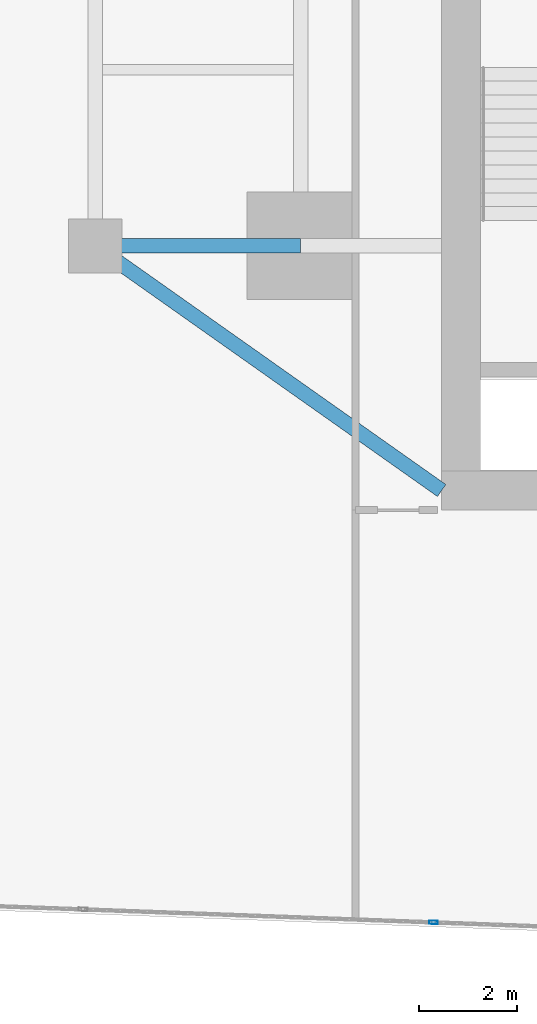
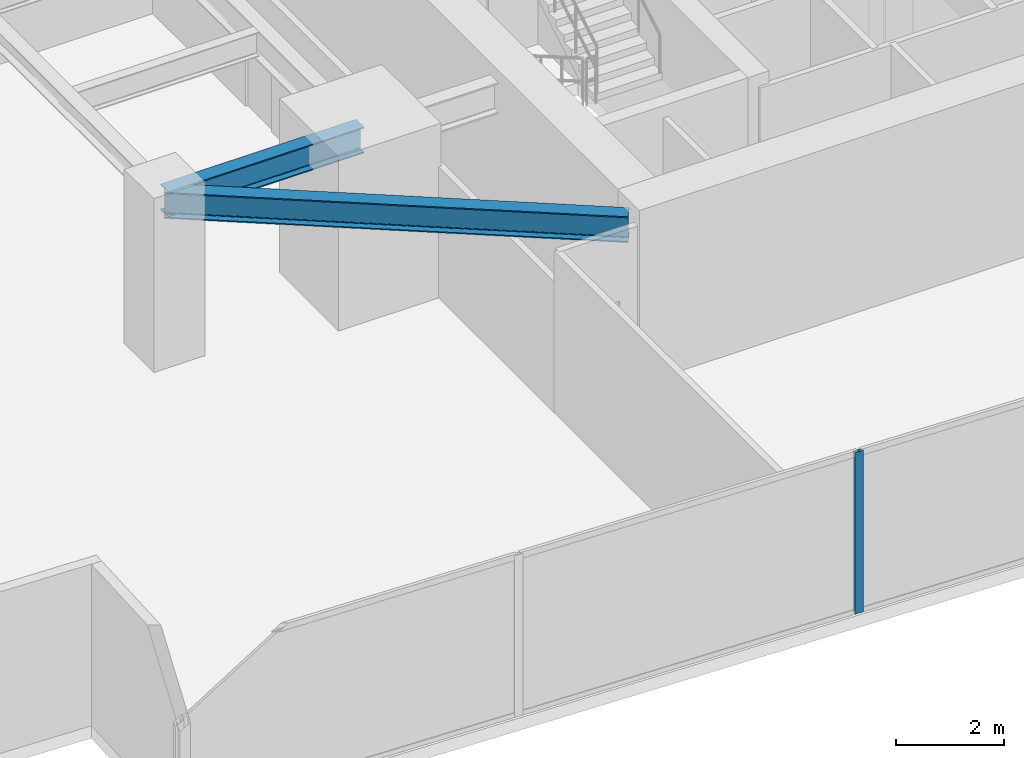
# One storey, part 5 of 30: 2 beams, 1 member, 1 element without a shape of its own.
"""IFC4 building model written with IfcOpenShell, lengths in metres."""

from ifc_helpers import new_model, si_unit, direction, frame, origin, origin_2d, place, context, subcontext, project, spatial, hollow_rectangle, i_section, extrude, source, transform, mapped, material, material_profile, profile_set, type_object, type_shapes, element, aggregate, save


model = new_model("IFC4")

# Units and contexts
model_context = context("Model", 3, precision=1e-05, world=origin(), true_north=direction((0.0, 1.0)))
body_context = subcontext(model_context, "Body", "Model", "MODEL_VIEW")
ifc_project = project(units=[si_unit("LENGTHUNIT", "METRE"), si_unit("AREAUNIT", "SQUARE_METRE"), si_unit("VOLUMEUNIT", "CUBIC_METRE"), si_unit("PLANEANGLEUNIT", "RADIAN"), si_unit("MASSUNIT", "GRAM", prefix="KILO")], contexts=[model_context])

# Site, building, storey
site_placement = place(None, origin())
site = spatial("IfcSite", under=ifc_project, at=site_placement, CompositionType="ELEMENT")
building_placement = place(site_placement, origin())
building = spatial("IfcBuilding", under=site, at=building_placement, Name="Krantzveldt Concourse Tower", CompositionType="ELEMENT")
storey_placement = place(building_placement, frame((0.0, 0.0, 36.85009765625)))
storey = spatial("IfcBuildingStorey", under=building, at=storey_placement, Name="L08", CompositionType="ELEMENT", Elevation=36.85009765625)

# Beams
ifc_material_1 = material(Name="Steel S355JR", Category="steel")
ifc_material_profile_1 = material_profile(ifc_material_1, i_section(OverallWidth=0.300048828125, OverallDepth=0.590087890625, WebThickness=0.012939453125, FlangeThickness=0.02490234375, FilletRadius=0.027099609375, at=origin_2d()), Name="Steel S355JR", Category="steel")
ifc_profile_set_1 = profile_set([ifc_material_profile_1], Name="Steel S355JR - HEA 600")
beam_type = type_object("IfcBeamType", Name="BM-B-HEA600", PredefinedType="BEAM", material=ifc_profile_set_1)
shared_shape_1 = source(origin(), body_context, "Body", "SweptSolid", [
    extrude(i_section(OverallWidth=0.300048828125, OverallDepth=0.590087890625, WebThickness=0.012939453125, FlangeThickness=0.02490234375, FilletRadius=0.027099609375, at=origin_2d()), origin(), (0.0, 0.0, 1.0), 4.199951171875),
])
beam_1_placement = place(storey_placement, frame((21.0, 15.89990234375, 3.375), z_axis=(1.0, 0.0, 0.0), x_axis=(0.0, 1.0, 0.0)))
element("IfcBeam", 1, at=beam_1_placement, inside=storey, type_object=beam_type, Name="L08 Tower Girder BR-RL1", PredefinedType="BEAM", context=body_context, shape_type="MappedRepresentation", body=[
    mapped(shared_shape_1, transform((0.0, 0.0, 0.0), x_axis=(1.0, 0.0, 0.0), y_axis=(0.0, 1.0, 0.0), z_axis=(0.0, 0.0, 1.0), scale=1.0)),
])
shared_shape_2 = source(origin(), body_context, "Body", "SweptSolid", [
    extrude(i_section(OverallWidth=0.300048828125, OverallDepth=0.590087890625, WebThickness=0.012939453125, FlangeThickness=0.02490234375, FilletRadius=0.027099609375, at=origin_2d()), origin(), (0.0, 0.0, 1.0), 8.667724609375),
])
type_shapes(beam_type, [shared_shape_1, shared_shape_2])
beam_2_placement = place(storey_placement, frame((21.0, 15.89990234375, 3.375), z_axis=(0.81684294656, -0.576860122261, 0.0), x_axis=(0.576860122261, 0.81684294656, 0.0)))
element("IfcBeam", 2, at=beam_2_placement, inside=storey, type_object=beam_type, Name="L08 Tower Girder BR-CSW", PredefinedType="BEAM", context=body_context, shape_type="MappedRepresentation", body=[
    mapped(shared_shape_2, transform((0.0, 0.0, 0.0), x_axis=(1.0, 0.0, 0.0), y_axis=(0.0, 1.0, 0.0), z_axis=(0.0, 0.0, 1.0), scale=1.0)),
])

# Curtain wall, member
ifc_material_2 = material(Name="Anodised aluminium 6063-T6", Category="aluminium")
curtain_wall_type = type_object("IfcCurtainWallType", Name="CW2", PredefinedType="USERDEFINED", material=ifc_material_2)
curtain_wall_placement = place(storey_placement, origin())
curtain_wall = element("IfcCurtainWall", 3, at=curtain_wall_placement, inside=storey, type_object=curtain_wall_type, Name="CW-L08-F04", ObjectType="UNITISED CURTAIN WALL", PredefinedType="USERDEFINED")
ifc_material_profile_2 = material_profile(ifc_material_2, hollow_rectangle(XDim=0.070068359375, YDim=0.179931640625, WallThickness=0.0048828125, at=origin_2d()), Name="Anodised aluminium 6063-T6", Category="aluminium")
ifc_profile_set_2 = profile_set([ifc_material_profile_2], Name="Anodised aluminium 6063-T6 - ALU-MULL 180x70x5")
member_type = type_object("IfcMemberType", Name="CW-MUL-180", PredefinedType="MULLION", material=ifc_profile_set_2)
shared_shape_3 = source(origin(), body_context, "Body", "SweptSolid", [
    extrude(hollow_rectangle(XDim=0.070068359375, YDim=0.179931640625, WallThickness=0.0048828125, at=origin_2d()), origin(), (0.0, 0.0, 1.0), 3.669921875),
])
type_shapes(member_type, [shared_shape_3])
member_placement = place(storey_placement, frame((27.91455078125, 2.07275390625, 0.0), z_axis=(0.0, 0.0, 1.0), x_axis=(0.037079766834, 0.999312308986, 0.0)))
member = element("IfcMember", 4, at=member_placement, type_object=member_type, Name="CW-Z12 mullion 3", PredefinedType="MULLION", context=body_context, shape_type="MappedRepresentation", body=[
    mapped(shared_shape_3, transform((0.0, 0.0, 0.0), x_axis=(1.0, 0.0, 0.0), y_axis=(0.0, 1.0, 0.0), z_axis=(0.0, 0.0, 1.0), scale=1.0)),
])
aggregate(curtain_wall, [member])

save(model, "model.ifc")
